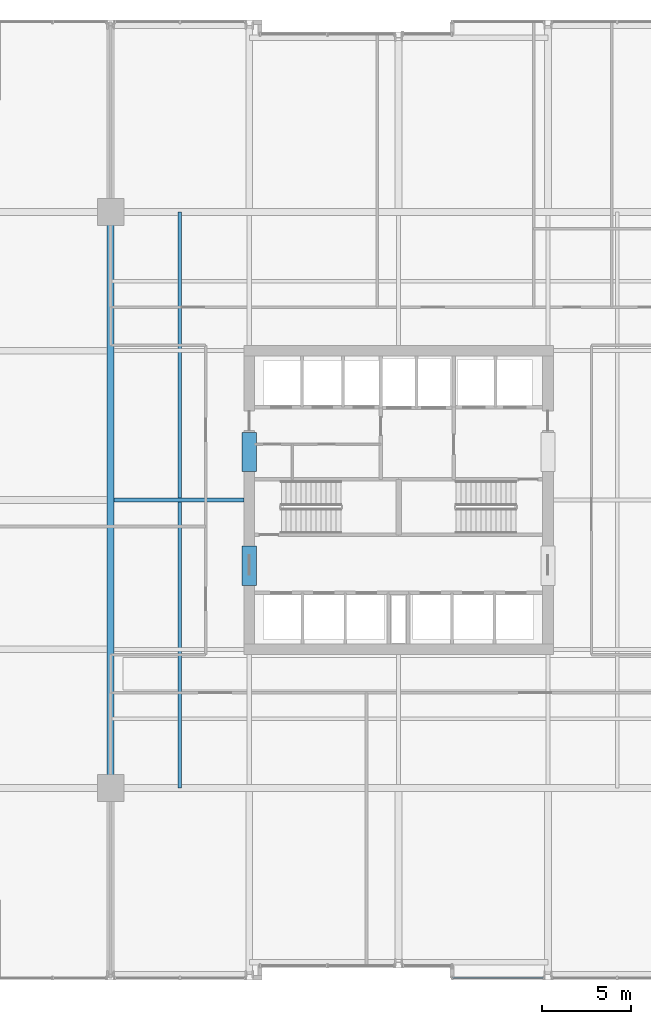
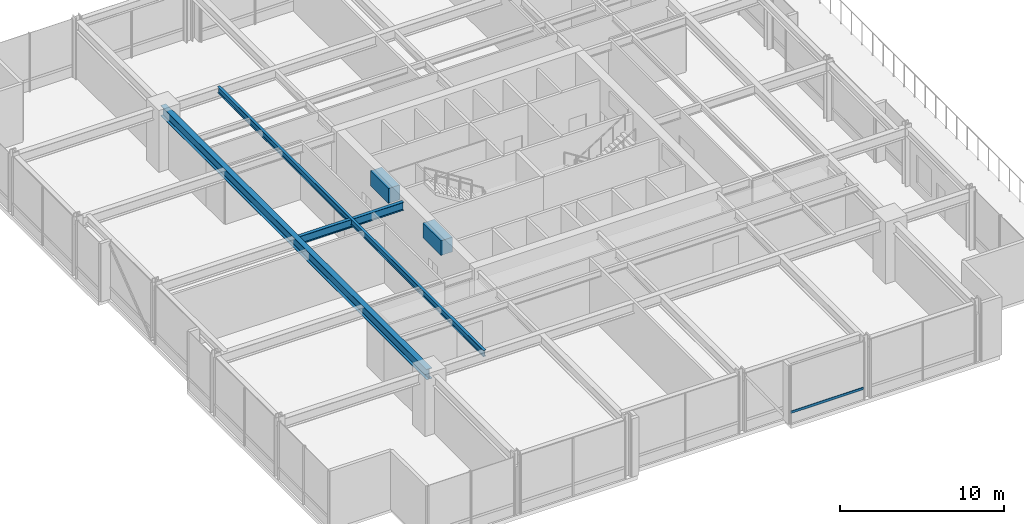
# One storey, part 10 of 33: 5 beams, 1 member, 1 element without a shape of its own.
"""IFC4 building model written with IfcOpenShell, lengths in metres."""

from ifc_helpers import new_model, si_unit, direction, frame, origin, origin_2d, place, context, subcontext, project, spatial, rectangle, hollow_rectangle, i_section, extrude, material, layer, layer_set, material_profile, profile_set, type_object, element, aggregate, save


model = new_model("IFC4")

# Units and contexts
model_context = context("Model", 3, precision=1e-05, world=origin(), true_north=direction((0.0, 1.0)))
body_context = subcontext(model_context, "Body", "Model", "MODEL_VIEW")
ifc_project = project(units=[si_unit("LENGTHUNIT", "METRE"), si_unit("AREAUNIT", "SQUARE_METRE"), si_unit("VOLUMEUNIT", "CUBIC_METRE"), si_unit("PLANEANGLEUNIT", "RADIAN"), si_unit("MASSUNIT", "GRAM", prefix="KILO")], contexts=[model_context])

# Site, building, storey
site_placement = place(None, origin())
site = spatial("IfcSite", under=ifc_project, at=site_placement, CompositionType="ELEMENT")
building_placement = place(site_placement, origin())
building = spatial("IfcBuilding", under=site, at=building_placement, Name="Drelvath Grand Hotel", CompositionType="ELEMENT")
storey_placement = place(building_placement, frame((0.0, 0.0, 87.199951171875)))
storey = spatial("IfcBuildingStorey", under=building, at=storey_placement, Name="L21", CompositionType="ELEMENT", Elevation=87.199951171875)

# Beams
ifc_material_1 = material(Name="Steel ASTM A992 Gr 50", Category="steel")
ifc_material_profile_1 = material_profile(ifc_material_1, i_section(OverallWidth=0.19140625, OverallDepth=0.4599609375, WebThickness=0.010009765625, FlangeThickness=0.01611328125, FilletRadius=0.01611328125, at=origin_2d()), Name="W18X55")
ifc_profile_set_1 = profile_set([ifc_material_profile_1], Name="Steel ASTM A992 Gr 50")
beam_type_1 = type_object("IfcBeamType", Name="Composite Floor Joist W18X55", PredefinedType="JOIST", material=ifc_profile_set_1)
beam_1_placement = place(storey_placement, frame((-12.300048828125, 10.800048828125, 4.110107421875), z_axis=(0.0, 1.0, 0.0), x_axis=(-1.0, 0.0, 0.0)))
element("IfcBeam", 1, at=beam_1_placement, inside=storey, type_object=beam_type_1, Name="L21 Wing Floor Joist J3", PredefinedType="JOIST", context=body_context, shape_type="SweptSolid", body=[
    extrude(i_section(OverallWidth=0.19140625, OverallDepth=0.4599609375, WebThickness=0.010009765625, FlangeThickness=0.01611328125, FilletRadius=0.01611328125, at=origin_2d()), origin(), (0.0, 0.0, 1.0), 32.39990234375),
])
ifc_material_2 = material(Name="Concrete f'c 70 MPa", Category="concrete")
ifc_material_profile_2 = material_profile(ifc_material_2, rectangle(XDim=0.800048828125, YDim=1.10009765625, at=origin_2d()), Name="CB800X1100")
ifc_profile_set_2 = profile_set([ifc_material_profile_2], Name="Concrete f'c 70 MPa")
beam_type_2 = type_object("IfcBeamType", Name="Core Coupling Lintel CB800X1100", PredefinedType="LINTEL", material=ifc_profile_set_2)
for number, where, z_axis, x_axis, name in (
    (2, (-8.39990234375, 22.199951171875, 3.7900390625), (0.0, 1.0, 0.0), (-1.0, 0.0, 0.0), "L21 Core Coupling Lintel WS"),
    (3, (-8.39990234375, 28.60009765625, 3.7900390625), (0.0, 1.0, 0.0), (-1.0, 0.0, 0.0), "L21 Core Coupling Lintel WN"),
):
    element("IfcBeam", number, at=place(storey_placement, frame(where, z_axis=z_axis, x_axis=x_axis)), inside=storey, type_object=beam_type_2, Name=name, PredefinedType="LINTEL", context=body_context, shape_type="SweptSolid", body=[
        extrude(rectangle(XDim=0.800048828125, YDim=1.10009765625, at=origin_2d()), origin(), (0.0, 0.0, 1.0), 2.199951171875),
    ])

# Curtain wall, member
ifc_material_3 = material(Name="Champagne Bronze Anodised Aluminium Frame", Category="aluminium")
ifc_layer = layer(ifc_material_3, 0.199951171875)
ifc_layer_set = layer_set([ifc_layer], Name="Champagne Bronze Anodised Aluminium Frame")
curtain_wall_type = type_object("IfcCurtainWallType", Name="Stick Curtain Wall CW-03 Champagne Bronze Mid-Rise", PredefinedType="NOTDEFINED", material=ifc_layer_set)
curtain_wall_placement = place(storey_placement, origin())
curtain_wall = element("IfcCurtainWall", 4, at=curtain_wall_placement, inside=storey, type_object=curtain_wall_type, Name="L21 CW-03 Curtain Wall CW03-L21-SE1", PredefinedType="NOTDEFINED")
ifc_material_profile_3 = material_profile(ifc_material_3, hollow_rectangle(XDim=0.074951171875, YDim=0.179931640625, WallThickness=0.0048828125, at=origin_2d()), Name="HSS180X75X5")
ifc_profile_set_3 = profile_set([ifc_material_profile_3], Name="Champagne Bronze Anodised Aluminium Frame")
member_type = type_object("IfcMemberType", Name="Curtain Wall Horizontal Transom CW-03 HSS180X75X5", PredefinedType="USERDEFINED", material=ifc_profile_set_3)
member_placement = place(storey_placement, frame((8.140380859375, 0.1201171875, 0.85009765625), z_axis=(-1.0, 0.0, 0.0), x_axis=(0.0, -1.0, 0.0)))
member = element("IfcMember", 5, at=member_placement, type_object=member_type, Name="CW03-L21-SE1 Sill Transom", ObjectType="TRANSOM", PredefinedType="USERDEFINED", context=body_context, shape_type="SweptSolid", body=[
    extrude(hollow_rectangle(XDim=0.074951171875, YDim=0.179931640625, WallThickness=0.0048828125, at=origin_2d()), origin(), (0.0, 0.0, 1.0), 5.100341796875),
])
aggregate(curtain_wall, [member])

# Beams
ifc_material_profile_4 = material_profile(ifc_material_1, i_section(OverallWidth=0.228271484375, OverallDepth=0.607666015625, WebThickness=0.01123046875, FlangeThickness=0.017333984375, FilletRadius=0.02001953125, at=origin_2d()), Name="W24X76")
ifc_profile_set_4 = profile_set([ifc_material_profile_4], Name="Steel ASTM A992 Gr 50")
beam_type_3 = type_object("IfcBeamType", Name="Primary Floor Girder W24X76", PredefinedType="BEAM", material=ifc_profile_set_4)
beam_2_placement = place(storey_placement, frame((-16.009765625, 27.0, 4.0361328125), z_axis=(1.0, 0.0, 0.0), x_axis=(0.0, 1.0, 0.0)))
element("IfcBeam", 6, at=beam_2_placement, inside=storey, type_object=beam_type_3, Name="L21 West Core Tie E", PredefinedType="BEAM", context=body_context, shape_type="SweptSolid", body=[
    extrude(i_section(OverallWidth=0.228271484375, OverallDepth=0.607666015625, WebThickness=0.01123046875, FlangeThickness=0.017333984375, FilletRadius=0.02001953125, at=origin_2d()), origin(), (0.0, 0.0, 1.0), 7.309814453125),
])
ifc_material_profile_5 = material_profile(ifc_material_1, i_section(OverallWidth=0.380615234375, OverallDepth=0.773193359375, WebThickness=0.0166015625, FlangeThickness=0.027099609375, FilletRadius=0.02490234375, at=origin_2d()), Name="W30X173")
ifc_profile_set_5 = profile_set([ifc_material_profile_5], Name="Steel ASTM A992 Gr 50")
beam_type_4 = type_object("IfcBeamType", Name="Primary Floor Girder W30X173", PredefinedType="BEAM", material=ifc_profile_set_5)
beam_3_placement = place(storey_placement, frame((-16.199951171875, 10.800048828125, 3.953369140625), z_axis=(0.0, 1.0, 0.0), x_axis=(-1.0, 0.0, 0.0)))
element("IfcBeam", 7, at=beam_3_placement, inside=storey, type_object=beam_type_4, Name="L21 Mega Ring Girder West", PredefinedType="BEAM", context=body_context, shape_type="SweptSolid", body=[
    extrude(i_section(OverallWidth=0.380615234375, OverallDepth=0.773193359375, WebThickness=0.0166015625, FlangeThickness=0.027099609375, FilletRadius=0.02490234375, at=origin_2d()), origin(), (0.0, 0.0, 1.0), 32.39990234375),
])

save(model, "model.ifc")
